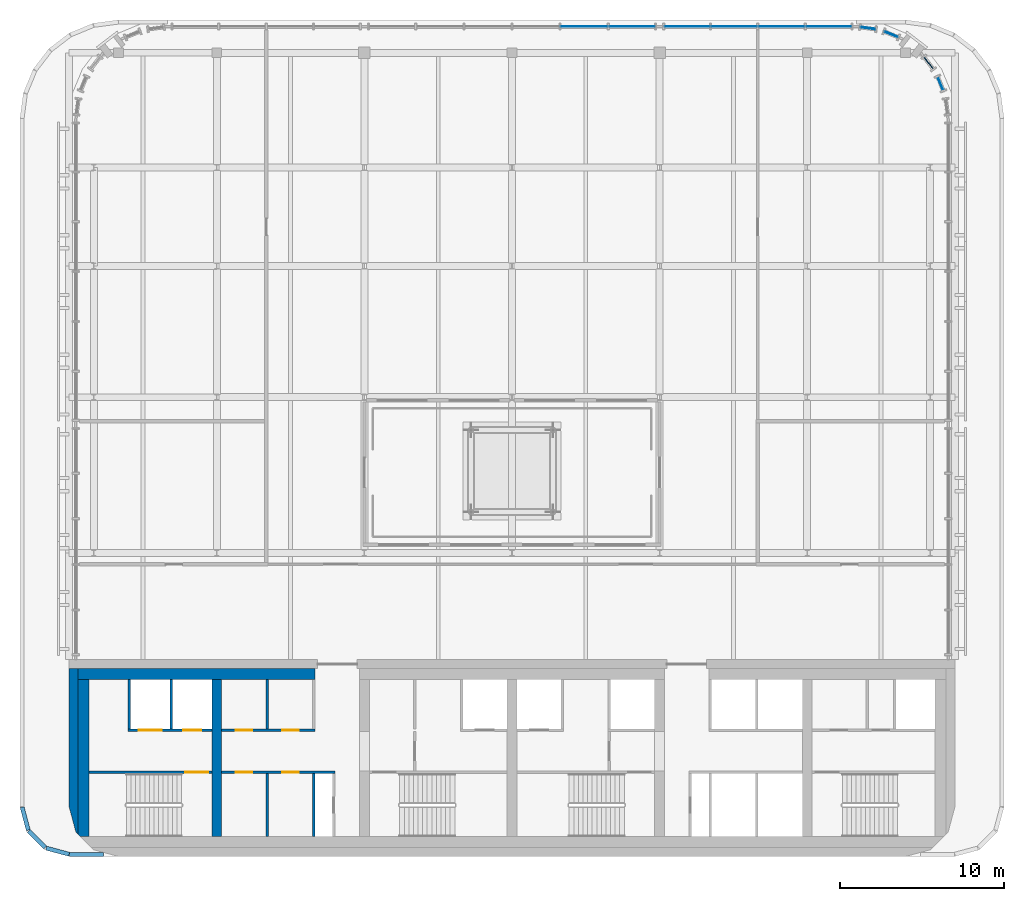
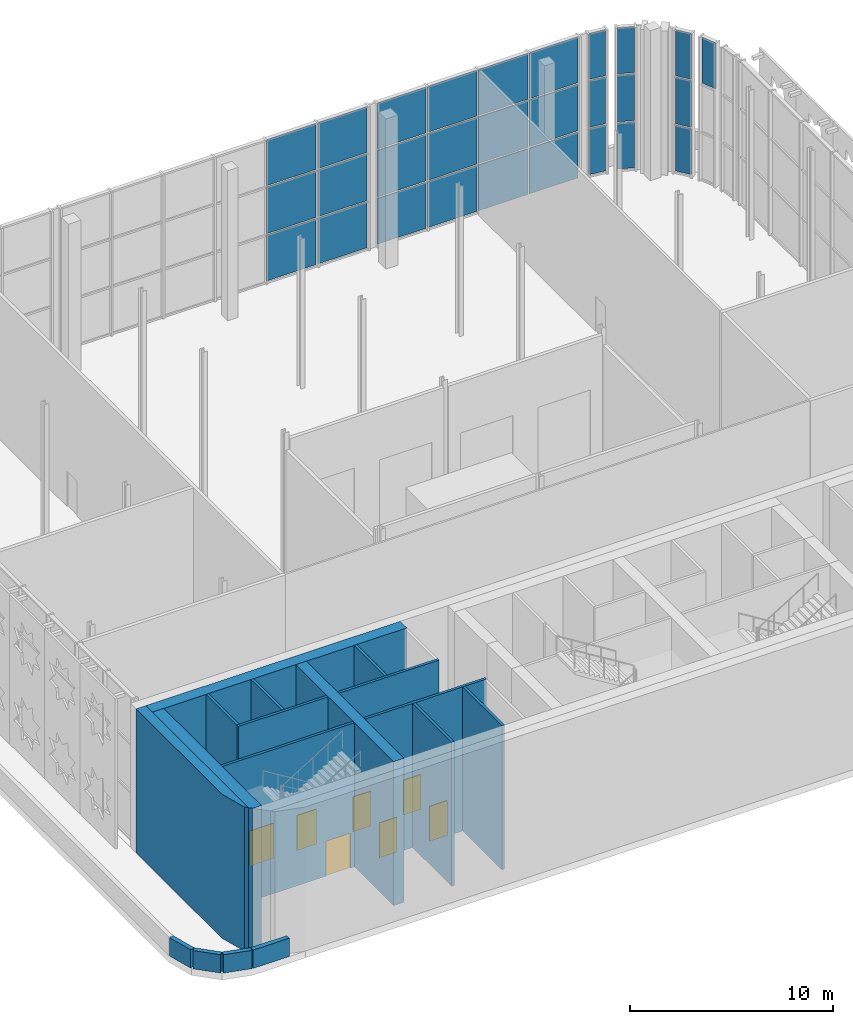
# One storey, part 17 of 26: 28 plates, 17 walls, 7 doors, 7 openings, 6 elements without a shape of their own.
"""IFC4 building model written with IfcOpenShell, lengths in metres."""

from ifc_helpers import new_model, si_unit, direction, frame, frame_2d, origin, origin_2d, place, context, subcontext, project, spatial, polyline, rectangle, outline, extrude, material, layer, layer_set, type_object, element, fill, aggregate, save


model = new_model("IFC4")

# Units and contexts
model_context = context("Model", 3, precision=1e-05, world=origin(), true_north=direction((0.0, 1.0)))
body_context = subcontext(model_context, "Body", "Model", "MODEL_VIEW")
ifc_project = project(units=[si_unit("LENGTHUNIT", "METRE"), si_unit("AREAUNIT", "SQUARE_METRE"), si_unit("VOLUMEUNIT", "CUBIC_METRE"), si_unit("PLANEANGLEUNIT", "RADIAN"), si_unit("MASSUNIT", "GRAM", prefix="KILO")], contexts=[model_context])

# Site, building, storey
site_placement = place(None, origin())
site = spatial("IfcSite", under=ifc_project, at=site_placement, CompositionType="ELEMENT")
building_placement = place(site_placement, origin())
building = spatial("IfcBuilding", under=site, at=building_placement, Name="Zellij Exchange Tower", CompositionType="ELEMENT")
storey_placement = place(building_placement, frame((0.0, 0.0, 296.5)))
storey = spatial("IfcBuildingStorey", under=building, at=storey_placement, Name="L70", CompositionType="ELEMENT", Elevation=296.5)

# Curtain wall, plate
ifc_material_1 = material(Name="Bronze anodised aluminium frame, bronze laminated glass", Category="aluminium")
curtain_wall_type = type_object("IfcCurtainWallType", Name="ENV-CW5 Damper-gallery glazing", PredefinedType="NOTDEFINED", material=ifc_material_1)
curtain_wall_1_placement = place(storey_placement, origin())
curtain_wall_1 = element("IfcCurtainWall", 1, at=curtain_wall_1_placement, inside=storey, type_object=curtain_wall_type, Name="cw.L70.06", PredefinedType="NOTDEFINED")
ifc_material_2 = material(Name="Laminated glass, bronze tint", Category="glass")
ifc_layer_1 = layer(ifc_material_2, 0.052001953125)
ifc_layer_set_1 = layer_set([ifc_layer_1], Name="Laminated glass, bronze tint")
plate_type = type_object("IfcPlateType", Name="ENV-CW5P Glazed panel 52", PredefinedType="CURTAIN_PANEL", material=ifc_layer_set_1)
plate_1_placement = place(storey_placement, frame((26.12646484375, 33.123291015625, 5.816650390625), z_axis=(0.0, 0.0, 1.0), x_axis=(-0.382754118186, 0.923850250318, 0.0)))
plate_1 = element("IfcPlate", 2, at=plate_1_placement, type_object=plate_type, Name="CW5 panel 1.3", PredefinedType="CURTAIN_PANEL", context=body_context, shape_type="SweptSolid", body=[
    extrude(rectangle(XDim=0.861083984375, YDim=0.052001953125, at=origin_2d()), origin(), (0.0, 0.0, 1.0), 2.7333984375),
])
aggregate(curtain_wall_1, [plate_1])

# Curtain wall, plates
curtain_wall_2_placement = place(storey_placement, origin())
curtain_wall_2 = element("IfcCurtainWall", 3, at=curtain_wall_2_placement, inside=storey, type_object=curtain_wall_type, Name="cw.L70.07", PredefinedType="NOTDEFINED")
plate_2_placement = place(storey_placement, frame((25.402099609375, 34.377685546875, 0.099853515625), z_axis=(0.0, 0.0, 1.0), x_axis=(-0.6087401576, 0.793369661964, 0.0)))
plate_2 = element("IfcPlate", 4, at=plate_2_placement, type_object=plate_type, Name="CW5 panel 1.1", PredefinedType="CURTAIN_PANEL", context=body_context, shape_type="SweptSolid", body=[
    extrude(rectangle(XDim=0.861083984375, YDim=0.052001953125, at=origin_2d()), origin(), (0.0, 0.0, 1.0), 2.7333984375),
])
plate_3_placement = place(storey_placement, frame((25.402099609375, 34.377685546875, 2.93310546875), z_axis=(0.0, 0.0, 1.0), x_axis=(-0.6087401576, 0.793369661964, 0.0)))
plate_3 = element("IfcPlate", 5, at=plate_3_placement, type_object=plate_type, Name="CW5 panel 1.2", PredefinedType="CURTAIN_PANEL", context=body_context, shape_type="SweptSolid", body=[
    extrude(rectangle(XDim=0.861083984375, YDim=0.052001953125, at=origin_2d()), origin(), (0.0, 0.0, 1.0), 2.783447265625),
])
plate_4_placement = place(storey_placement, frame((25.402099609375, 34.377685546875, 5.816650390625), z_axis=(0.0, 0.0, 1.0), x_axis=(-0.6087401576, 0.793369661964, 0.0)))
plate_4 = element("IfcPlate", 6, at=plate_4_placement, type_object=plate_type, Name="CW5 panel 1.3", PredefinedType="CURTAIN_PANEL", context=body_context, shape_type="SweptSolid", body=[
    extrude(rectangle(XDim=0.861083984375, YDim=0.052001953125, at=origin_2d()), origin(), (0.0, 0.0, 1.0), 2.7333984375),
])
aggregate(curtain_wall_2, [plate_2, plate_3, plate_4])

curtain_wall_3_placement = place(storey_placement, origin())
curtain_wall_3 = element("IfcCurtainWall", 7, at=curtain_wall_3_placement, inside=storey, type_object=curtain_wall_type, Name="cw.L70.09", PredefinedType="NOTDEFINED")
plate_5_placement = place(storey_placement, frame((23.123291015625, 36.12646484375, 0.099853515625), z_axis=(0.0, 0.0, 1.0), x_axis=(-0.923850250318, 0.382754118186, 0.0)))
plate_5 = element("IfcPlate", 8, at=plate_5_placement, type_object=plate_type, Name="CW5 panel 1.1", PredefinedType="CURTAIN_PANEL", context=body_context, shape_type="SweptSolid", body=[
    extrude(rectangle(XDim=0.861083984375, YDim=0.052001953125, at=origin_2d()), origin(), (0.0, 0.0, 1.0), 2.7333984375),
])
plate_6_placement = place(storey_placement, frame((23.123291015625, 36.12646484375, 2.93310546875), z_axis=(0.0, 0.0, 1.0), x_axis=(-0.923850250318, 0.382754118186, 0.0)))
plate_6 = element("IfcPlate", 9, at=plate_6_placement, type_object=plate_type, Name="CW5 panel 1.2", PredefinedType="CURTAIN_PANEL", context=body_context, shape_type="SweptSolid", body=[
    extrude(rectangle(XDim=0.861083984375, YDim=0.052001953125, at=origin_2d()), origin(), (0.0, 0.0, 1.0), 2.783447265625),
])
plate_7_placement = place(storey_placement, frame((23.123291015625, 36.12646484375, 5.816650390625), z_axis=(0.0, 0.0, 1.0), x_axis=(-0.923850250318, 0.382754118186, 0.0)))
plate_7 = element("IfcPlate", 10, at=plate_7_placement, type_object=plate_type, Name="CW5 panel 1.3", PredefinedType="CURTAIN_PANEL", context=body_context, shape_type="SweptSolid", body=[
    extrude(rectangle(XDim=0.861083984375, YDim=0.052001953125, at=origin_2d()), origin(), (0.0, 0.0, 1.0), 2.7333984375),
])
aggregate(curtain_wall_3, [plate_5, plate_6, plate_7])

curtain_wall_4_placement = place(storey_placement, origin())
curtain_wall_4 = element("IfcCurtainWall", 11, at=curtain_wall_4_placement, inside=storey, type_object=curtain_wall_type, Name="cw.L70.10", PredefinedType="NOTDEFINED")
plate_8_placement = place(storey_placement, frame((21.711181640625, 36.5029296875, 0.099853515625), z_axis=(0.0, 0.0, 1.0), x_axis=(-0.991448973532, 0.130494953476, 0.0)))
plate_8 = element("IfcPlate", 12, at=plate_8_placement, type_object=plate_type, Name="CW5 panel 1.1", PredefinedType="CURTAIN_PANEL", context=body_context, shape_type="SweptSolid", body=[
    extrude(rectangle(XDim=0.887451171875, YDim=0.052001953125, at=origin_2d()), origin(), (0.0, 0.0, 1.0), 2.7333984375),
])
plate_9_placement = place(storey_placement, frame((21.711181640625, 36.5029296875, 2.93310546875), z_axis=(0.0, 0.0, 1.0), x_axis=(-0.991448973532, 0.130494953476, 0.0)))
plate_9 = element("IfcPlate", 13, at=plate_9_placement, type_object=plate_type, Name="CW5 panel 1.2", PredefinedType="CURTAIN_PANEL", context=body_context, shape_type="SweptSolid", body=[
    extrude(rectangle(XDim=0.887451171875, YDim=0.052001953125, at=origin_2d()), origin(), (0.0, 0.0, 1.0), 2.783447265625),
])
plate_10_placement = place(storey_placement, frame((21.711181640625, 36.5029296875, 5.816650390625), z_axis=(0.0, 0.0, 1.0), x_axis=(-0.991448973532, 0.130494953476, 0.0)))
plate_10 = element("IfcPlate", 14, at=plate_10_placement, type_object=plate_type, Name="CW5 panel 1.3", PredefinedType="CURTAIN_PANEL", context=body_context, shape_type="SweptSolid", body=[
    extrude(rectangle(XDim=0.887451171875, YDim=0.052001953125, at=origin_2d()), origin(), (0.0, 0.0, 1.0), 2.7333984375),
])
aggregate(curtain_wall_4, [plate_8, plate_9, plate_10])

curtain_wall_5_placement = place(storey_placement, origin())
curtain_wall_5 = element("IfcCurtainWall", 15, at=curtain_wall_5_placement, inside=storey, type_object=curtain_wall_type, Name="cw.L70.11a", PredefinedType="NOTDEFINED")
plate_11_placement = place(storey_placement, frame((19.302001953125, 36.60009765625, 0.099853515625), z_axis=(0.0, 0.0, 1.0), x_axis=(-1.0, 0.0, 0.0)))
plate_11 = element("IfcPlate", 16, at=plate_11_placement, type_object=plate_type, Name="CW5 panel 1.1", PredefinedType="CURTAIN_PANEL", context=body_context, shape_type="SweptSolid", body=[
    extrude(rectangle(XDim=2.743408203125, YDim=0.052001953125, at=origin_2d()), origin(), (0.0, 0.0, 1.0), 2.7333984375),
])
plate_12_placement = place(storey_placement, frame((19.302001953125, 36.60009765625, 2.93310546875), z_axis=(0.0, 0.0, 1.0), x_axis=(-1.0, 0.0, 0.0)))
plate_12 = element("IfcPlate", 17, at=plate_12_placement, type_object=plate_type, Name="CW5 panel 1.2", PredefinedType="CURTAIN_PANEL", context=body_context, shape_type="SweptSolid", body=[
    extrude(rectangle(XDim=2.743408203125, YDim=0.052001953125, at=origin_2d()), origin(), (0.0, 0.0, 1.0), 2.783447265625),
])
plate_13_placement = place(storey_placement, frame((19.302001953125, 36.60009765625, 5.816650390625), z_axis=(0.0, 0.0, 1.0), x_axis=(-1.0, 0.0, 0.0)))
plate_13 = element("IfcPlate", 18, at=plate_13_placement, type_object=plate_type, Name="CW5 panel 1.3", PredefinedType="CURTAIN_PANEL", context=body_context, shape_type="SweptSolid", body=[
    extrude(rectangle(XDim=2.743408203125, YDim=0.052001953125, at=origin_2d()), origin(), (0.0, 0.0, 1.0), 2.7333984375),
])
plate_14_placement = place(storey_placement, frame((16.43359375, 36.60009765625, 0.099853515625), z_axis=(0.0, 0.0, 1.0), x_axis=(-1.0, 0.0, 0.0)))
plate_14 = element("IfcPlate", 19, at=plate_14_placement, type_object=plate_type, Name="CW5 panel 2.1", PredefinedType="CURTAIN_PANEL", context=body_context, shape_type="SweptSolid", body=[
    extrude(rectangle(XDim=2.79345703125, YDim=0.052001953125, at=origin_2d()), origin(), (0.0, 0.0, 1.0), 2.7333984375),
])
plate_15_placement = place(storey_placement, frame((16.43359375, 36.60009765625, 2.93310546875), z_axis=(0.0, 0.0, 1.0), x_axis=(-1.0, 0.0, 0.0)))
plate_15 = element("IfcPlate", 20, at=plate_15_placement, type_object=plate_type, Name="CW5 panel 2.2", PredefinedType="CURTAIN_PANEL", context=body_context, shape_type="SweptSolid", body=[
    extrude(rectangle(XDim=2.79345703125, YDim=0.052001953125, at=origin_2d()), origin(), (0.0, 0.0, 1.0), 2.783447265625),
])
plate_16_placement = place(storey_placement, frame((16.43359375, 36.60009765625, 5.816650390625), z_axis=(0.0, 0.0, 1.0), x_axis=(-1.0, 0.0, 0.0)))
plate_16 = element("IfcPlate", 21, at=plate_16_placement, type_object=plate_type, Name="CW5 panel 2.3", PredefinedType="CURTAIN_PANEL", context=body_context, shape_type="SweptSolid", body=[
    extrude(rectangle(XDim=2.79345703125, YDim=0.052001953125, at=origin_2d()), origin(), (0.0, 0.0, 1.0), 2.7333984375),
])
plate_17_placement = place(storey_placement, frame((13.540283203125, 36.60009765625, 0.099853515625), z_axis=(0.0, 0.0, 1.0), x_axis=(-1.0, 0.0, 0.0)))
plate_17 = element("IfcPlate", 22, at=plate_17_placement, type_object=plate_type, Name="CW5 panel 3.1", PredefinedType="CURTAIN_PANEL", context=body_context, shape_type="SweptSolid", body=[
    extrude(rectangle(XDim=2.79345703125, YDim=0.052001953125, at=origin_2d()), origin(), (0.0, 0.0, 1.0), 2.7333984375),
])
plate_18_placement = place(storey_placement, frame((13.540283203125, 36.60009765625, 2.93310546875), z_axis=(0.0, 0.0, 1.0), x_axis=(-1.0, 0.0, 0.0)))
plate_18 = element("IfcPlate", 23, at=plate_18_placement, type_object=plate_type, Name="CW5 panel 3.2", PredefinedType="CURTAIN_PANEL", context=body_context, shape_type="SweptSolid", body=[
    extrude(rectangle(XDim=2.79345703125, YDim=0.052001953125, at=origin_2d()), origin(), (0.0, 0.0, 1.0), 2.783447265625),
])
plate_19_placement = place(storey_placement, frame((13.540283203125, 36.60009765625, 5.816650390625), z_axis=(0.0, 0.0, 1.0), x_axis=(-1.0, 0.0, 0.0)))
plate_19 = element("IfcPlate", 24, at=plate_19_placement, type_object=plate_type, Name="CW5 panel 3.3", PredefinedType="CURTAIN_PANEL", context=body_context, shape_type="SweptSolid", body=[
    extrude(rectangle(XDim=2.79345703125, YDim=0.052001953125, at=origin_2d()), origin(), (0.0, 0.0, 1.0), 2.7333984375),
])
plate_20_placement = place(storey_placement, frame((10.671630859375, 36.60009765625, 0.099853515625), z_axis=(0.0, 0.0, 1.0), x_axis=(-1.0, 0.0, 0.0)))
plate_20 = element("IfcPlate", 25, at=plate_20_placement, type_object=plate_type, Name="CW5 panel 4.1", PredefinedType="CURTAIN_PANEL", context=body_context, shape_type="SweptSolid", body=[
    extrude(rectangle(XDim=2.743408203125, YDim=0.052001953125, at=origin_2d()), origin(), (0.0, 0.0, 1.0), 2.7333984375),
])
plate_21_placement = place(storey_placement, frame((10.671630859375, 36.60009765625, 2.93310546875), z_axis=(0.0, 0.0, 1.0), x_axis=(-1.0, 0.0, 0.0)))
plate_21 = element("IfcPlate", 26, at=plate_21_placement, type_object=plate_type, Name="CW5 panel 4.2", PredefinedType="CURTAIN_PANEL", context=body_context, shape_type="SweptSolid", body=[
    extrude(rectangle(XDim=2.743408203125, YDim=0.052001953125, at=origin_2d()), origin(), (0.0, 0.0, 1.0), 2.783447265625),
])
plate_22_placement = place(storey_placement, frame((10.671630859375, 36.60009765625, 5.816650390625), z_axis=(0.0, 0.0, 1.0), x_axis=(-1.0, 0.0, 0.0)))
plate_22 = element("IfcPlate", 27, at=plate_22_placement, type_object=plate_type, Name="CW5 panel 4.3", PredefinedType="CURTAIN_PANEL", context=body_context, shape_type="SweptSolid", body=[
    extrude(rectangle(XDim=2.743408203125, YDim=0.052001953125, at=origin_2d()), origin(), (0.0, 0.0, 1.0), 2.7333984375),
])
aggregate(curtain_wall_5, [plate_11, plate_12, plate_13, plate_14, plate_15, plate_16, plate_17, plate_18, plate_19, plate_20, plate_21, plate_22])

curtain_wall_6_placement = place(storey_placement, origin())
curtain_wall_6 = element("IfcCurtainWall", 28, at=curtain_wall_6_placement, inside=storey, type_object=curtain_wall_type, Name="cw.L70.11b", PredefinedType="NOTDEFINED")
plate_23_placement = place(storey_placement, frame((7.308349609375, 36.60009765625, 0.099853515625), z_axis=(0.0, 0.0, 1.0), x_axis=(-1.0, 0.0, 0.0)))
plate_23 = element("IfcPlate", 29, at=plate_23_placement, type_object=plate_type, Name="CW5 panel 1.1", PredefinedType="CURTAIN_PANEL", context=body_context, shape_type="SweptSolid", body=[
    extrude(rectangle(XDim=2.783447265625, YDim=0.052001953125, at=origin_2d()), origin(), (0.0, 0.0, 1.0), 2.7333984375),
])
plate_24_placement = place(storey_placement, frame((7.308349609375, 36.60009765625, 2.93310546875), z_axis=(0.0, 0.0, 1.0), x_axis=(-1.0, 0.0, 0.0)))
plate_24 = element("IfcPlate", 30, at=plate_24_placement, type_object=plate_type, Name="CW5 panel 1.2", PredefinedType="CURTAIN_PANEL", context=body_context, shape_type="SweptSolid", body=[
    extrude(rectangle(XDim=2.783447265625, YDim=0.052001953125, at=origin_2d()), origin(), (0.0, 0.0, 1.0), 2.783447265625),
])
plate_25_placement = place(storey_placement, frame((7.308349609375, 36.60009765625, 5.816650390625), z_axis=(0.0, 0.0, 1.0), x_axis=(-1.0, 0.0, 0.0)))
plate_25 = element("IfcPlate", 31, at=plate_25_placement, type_object=plate_type, Name="CW5 panel 1.3", PredefinedType="CURTAIN_PANEL", context=body_context, shape_type="SweptSolid", body=[
    extrude(rectangle(XDim=2.783447265625, YDim=0.052001953125, at=origin_2d()), origin(), (0.0, 0.0, 1.0), 2.7333984375),
])
plate_26_placement = place(storey_placement, frame((4.39990234375, 36.60009765625, 0.099853515625), z_axis=(0.0, 0.0, 1.0), x_axis=(-1.0, 0.0, 0.0)))
plate_26 = element("IfcPlate", 32, at=plate_26_placement, type_object=plate_type, Name="CW5 panel 2.1", PredefinedType="CURTAIN_PANEL", context=body_context, shape_type="SweptSolid", body=[
    extrude(rectangle(XDim=2.833251953125, YDim=0.052001953125, at=origin_2d()), origin(), (0.0, 0.0, 1.0), 2.7333984375),
])
plate_27_placement = place(storey_placement, frame((4.39990234375, 36.60009765625, 2.93310546875), z_axis=(0.0, 0.0, 1.0), x_axis=(-1.0, 0.0, 0.0)))
plate_27 = element("IfcPlate", 33, at=plate_27_placement, type_object=plate_type, Name="CW5 panel 2.2", PredefinedType="CURTAIN_PANEL", context=body_context, shape_type="SweptSolid", body=[
    extrude(rectangle(XDim=2.833251953125, YDim=0.052001953125, at=origin_2d()), origin(), (0.0, 0.0, 1.0), 2.783447265625),
])
plate_28_placement = place(storey_placement, frame((4.39990234375, 36.60009765625, 5.816650390625), z_axis=(0.0, 0.0, 1.0), x_axis=(-1.0, 0.0, 0.0)))
plate_28 = element("IfcPlate", 34, at=plate_28_placement, type_object=plate_type, Name="CW5 panel 2.3", PredefinedType="CURTAIN_PANEL", context=body_context, shape_type="SweptSolid", body=[
    extrude(rectangle(XDim=2.833251953125, YDim=0.052001953125, at=origin_2d()), origin(), (0.0, 0.0, 1.0), 2.7333984375),
])
aggregate(curtain_wall_6, [plate_23, plate_24, plate_25, plate_26, plate_27, plate_28])

# Walls
ifc_material_3 = material(Name="Concrete C50/60", Category="concrete")
ifc_layer_2 = layer(ifc_material_3, 0.60009765625)
ifc_layer_set_2 = layer_set([ifc_layer_2], Name="Concrete C50/60")
wall_type_1 = type_object("IfcWallType", Name="CORE-CW 600 C50/60", PredefinedType="SHEAR", material=ifc_layer_set_2)
wall_1_placement = place(storey_placement, frame((-18.0, -12.800048828125, 0.0), z_axis=(0.0, 0.0, 1.0), x_axis=(0.0, 1.0, 0.0)))
element("IfcWall", 35, at=wall_1_placement, inside=storey, type_object=wall_type_1, Name="Core cross wall x -18 L70", PredefinedType="SHEAR", context=body_context, shape_type="SweptSolid", body=[
    extrude(rectangle(XDim=9.60009765625, YDim=0.60009765625, at=frame_2d((4.800048828125, 0.0))), origin(), (0.0, 0.0, 1.0), 8.64990234375),
])
ifc_material_4 = material(Name="Concrete C30/37", Category="concrete")
ifc_layer_3 = layer(ifc_material_4, 0.64990234375)
ifc_layer_set_3 = layer_set([ifc_layer_3], Name="Concrete C30/37")
wall_type_2 = type_object("IfcWallType", Name="CORE-LW 650 C30/37", PredefinedType="SHEAR", material=ifc_layer_set_3)
wall_2_placement = place(storey_placement, frame((-26.449951171875, -2.875, 0.0), z_axis=(0.0, 0.0, 1.0), x_axis=(1.0, 0.0, 0.0)))
element("IfcWall", 36, at=wall_2_placement, inside=storey, type_object=wall_type_2, Name="Core wall lining front.0 L70", PredefinedType="SHEAR", context=body_context, shape_type="SweptSolid", body=[
    extrude(rectangle(XDim=14.449951171875, YDim=0.64990234375, at=frame_2d((7.22509765625, 0.0))), origin(), (0.0, 0.0, 1.0), 8.64990234375),
])
wall_3_placement = place(storey_placement, origin())
element("IfcWall", 37, at=wall_3_placement, inside=storey, type_object=wall_type_2, Name="Core wall lining end w.0 L70", PredefinedType="SHEAR", context=body_context, shape_type="SweptSolid", body=[
    extrude(outline(polyline([(-26.449951171875, -3.199951171875), (-25.800048828125, -3.199951171875), (-25.800048828125, -12.800048828125), (-26.298095703125, -12.800048828125), (-26.449951171875, -12.648193359375), (-26.449951171875, -3.199951171875)])), origin(), (0.0, 0.0, 1.0), 8.64990234375),
])
ifc_material_5 = material(Name="Gypsum shaft wall system")
ifc_layer_4 = layer(ifc_material_5, 0.14990234375)
ifc_layer_set_4 = layer_set([ifc_layer_4], Name="Gypsum shaft wall system")
wall_type_3 = type_object("IfcWallType", Name="CORE-PW 150 Lift shaft wall", PredefinedType="PARTITIONING", material=ifc_layer_set_4)
for number, where, z_axis, x_axis, name in (
    (38, (-20.77490234375, -6.22509765625, 0.0), (0.0, 0.0, 1.0), (0.0, 1.0, 0.0), "Lift shaft wall L70"),
    (39, (-23.324951171875, -6.22509765625, 0.0), (0.0, 0.0, 1.0), (0.0, 1.0, 0.0), "Lift shaft wall L70"),
):
    element("IfcWall", number, at=place(storey_placement, frame(where, z_axis=z_axis, x_axis=x_axis)), inside=storey, type_object=wall_type_3, Name=name, PredefinedType="PARTITIONING", context=body_context, shape_type="SweptSolid", body=[
        extrude(rectangle(XDim=3.025146484375, YDim=0.14990234375, at=frame_2d((1.5126953125, 0.0))), origin(), (0.0, 0.0, 1.0), 8.64990234375),
    ])

# Wall, openings, doors
wall_4_placement = place(storey_placement, frame((-23.39990234375, -6.300048828125, 0.0), z_axis=(0.0, 0.0, 1.0), x_axis=(1.0, 0.0, 0.0)))
wall_4 = element("IfcWall", 40, at=wall_4_placement, inside=storey, type_object=wall_type_3, Name="Lift shaft wall L70", PredefinedType="PARTITIONING", context=body_context, shape_type="SweptSolid", body=[
    extrude(rectangle(XDim=5.099853515625, YDim=0.14990234375, at=frame_2d((2.5498046875, 0.0))), origin(), (0.0, 0.0, 1.0), 8.64990234375),
])
opening_1_placement = place(wall_4_placement, frame((0.64990234375, 0.0, 0.0)))
opening_1 = element("IfcOpeningElement", 41, at=opening_1_placement, cuts=wall_4, Name="Opening CA-37.01", PredefinedType="OPENING", context=body_context, shape_type="SweptSolid", body=[
    extrude(rectangle(XDim=1.39990234375, YDim=2.10009765625, at=frame_2d((0.699951171875, 1.050048828125))), frame((0.0, 0.0869140625, 0.0), z_axis=(0.0, -1.0, 0.0), x_axis=(1.0, 0.0, 0.0)), (0.0, 0.0, 1.0), 0.173828125),
])
opening_2_placement = place(wall_4_placement, frame((3.35009765625, 0.0, 0.0)))
opening_2 = element("IfcOpeningElement", 42, at=opening_2_placement, cuts=wall_4, Name="Opening CA-37.02", PredefinedType="OPENING", context=body_context, shape_type="SweptSolid", body=[
    extrude(rectangle(XDim=1.10009765625, YDim=2.10009765625, at=frame_2d((0.550048828125, 1.050048828125))), frame((0.0, 0.0869140625, 0.0), z_axis=(0.0, -1.0, 0.0), x_axis=(1.0, 0.0, 0.0)), (0.0, 0.0, 1.0), 0.173828125),
])
ifc_material_6 = material(Name="Hollow metal fire door")
door_type_1 = type_object("IfcDoorType", Name="CORE-D LD Lift landing door 1100x2100 1.5 HR", OperationType="NOTDEFINED", PredefinedType="DOOR", material=ifc_material_6)
door_1_placement = place(opening_2_placement, origin())
door_1 = element("IfcDoor", 43, at=door_1_placement, inside=storey, type_object=door_type_1, Name="Lift landing door CA-37.02", OperationType="SLIDING_TO_RIGHT", OverallHeight=2.10009765625, OverallWidth=1.10009765625, PredefinedType="DOOR", context=body_context, shape_type="SweptSolid", body=[
    extrude(rectangle(XDim=1.10009765625, YDim=2.10009765625, at=frame_2d((0.550048828125, 1.050048828125))), frame((0.0, 0.02490234375, 0.0), z_axis=(0.0, -1.0, 0.0), x_axis=(1.0, 0.0, 0.0)), (0.0, 0.0, 1.0), 0.050048828125),
])
fill(opening_2, door_1)
door_type_2 = type_object("IfcDoorType", Name="CORE-D LD2 Service lift landing door 1400x2100 1.5 HR", OperationType="NOTDEFINED", PredefinedType="DOOR", material=ifc_material_6)
door_2_placement = place(opening_1_placement, origin())
door_2 = element("IfcDoor", 44, at=door_2_placement, inside=storey, type_object=door_type_2, Name="Service lift landing door CA-37.01", OperationType="SLIDING_TO_LEFT", OverallHeight=2.10009765625, OverallWidth=1.39990234375, PredefinedType="DOOR", context=body_context, shape_type="SweptSolid", body=[
    extrude(rectangle(XDim=1.39990234375, YDim=2.10009765625, at=frame_2d((0.699951171875, 1.050048828125))), frame((0.0, 0.02490234375, 0.0), z_axis=(0.0, -1.0, 0.0), x_axis=(1.0, 0.0, 0.0)), (0.0, 0.0, 1.0), 0.050048828125),
])
fill(opening_1, door_2)

# Walls
ifc_layer_5 = layer(ifc_material_5, 0.14990234375)
ifc_layer_set_5 = layer_set([ifc_layer_5], Name="Gypsum shaft wall system")
wall_type_4 = type_object("IfcWallType", Name="CORE-PW 150 Plant room wall", PredefinedType="PARTITIONING", material=ifc_layer_set_5)
wall_5_placement = place(storey_placement, frame((-14.925048828125, -6.22509765625, 0.0), z_axis=(0.0, 0.0, 1.0), x_axis=(0.0, 1.0, 0.0)))
element("IfcWall", 45, at=wall_5_placement, inside=storey, type_object=wall_type_4, Name="Plant room wall L70", PredefinedType="PARTITIONING", context=body_context, shape_type="SweptSolid", body=[
    extrude(rectangle(XDim=3.025146484375, YDim=0.14990234375, at=frame_2d((1.5126953125, 0.0))), origin(), (0.0, 0.0, 1.0), 8.64990234375),
])
for number, where, z_axis, x_axis, name in (
    (46, (-12.074951171875, -12.800048828125, 0.0), (0.0, 0.0, 1.0), (0.0, 1.0, 0.0), "Plant room wall L70"),
    (47, (-14.925048828125, -12.800048828125, 0.0), (0.0, 0.0, 1.0), (0.0, 1.0, 0.0), "Plant room wall L70"),
):
    element("IfcWall", number, at=place(storey_placement, frame(where, z_axis=z_axis, x_axis=x_axis)), inside=storey, type_object=wall_type_4, Name=name, PredefinedType="PARTITIONING", context=body_context, shape_type="SweptSolid", body=[
        extrude(rectangle(XDim=3.85009765625, YDim=0.14990234375, at=frame_2d((1.925048828125, 0.0))), origin(), (0.0, 0.0, 1.0), 8.64990234375),
    ])

# Wall, openings, doors
wall_6_placement = place(storey_placement, frame((-17.699951171875, -6.300048828125, 0.0), z_axis=(0.0, 0.0, 1.0), x_axis=(1.0, 0.0, 0.0)))
wall_6 = element("IfcWall", 48, at=wall_6_placement, inside=storey, type_object=wall_type_4, Name="Plant room wall L70", PredefinedType="PARTITIONING", context=body_context, shape_type="SweptSolid", body=[
    extrude(rectangle(XDim=5.699951171875, YDim=0.14990234375, at=frame_2d((2.85009765625, 0.0))), origin(), (0.0, 0.0, 1.0), 8.64990234375),
])
opening_3_placement = place(wall_6_placement, frame((0.85009765625, 0.0, 0.0)))
opening_3 = element("IfcOpeningElement", 49, at=opening_3_placement, cuts=wall_6, Name="Opening CA-37.05", PredefinedType="OPENING", context=body_context, shape_type="SweptSolid", body=[
    extrude(rectangle(XDim=1.0, YDim=2.10009765625, at=frame_2d((0.5, 1.050048828125))), frame((0.0, 0.0869140625, 0.0), z_axis=(0.0, -1.0, 0.0), x_axis=(1.0, 0.0, 0.0)), (0.0, 0.0, 1.0), 0.173828125),
])
opening_4_placement = place(wall_6_placement, frame((3.699951171875, 0.0, 0.0)))
opening_4 = element("IfcOpeningElement", 50, at=opening_4_placement, cuts=wall_6, Name="Opening CA-37.07", PredefinedType="OPENING", context=body_context, shape_type="SweptSolid", body=[
    extrude(rectangle(XDim=1.0, YDim=2.10009765625, at=frame_2d((0.5, 1.050048828125))), frame((0.0, 0.0869140625, 0.0), z_axis=(0.0, -1.0, 0.0), x_axis=(1.0, 0.0, 0.0)), (0.0, 0.0, 1.0), 0.173828125),
])
door_type_3 = type_object("IfcDoorType", Name="CORE-D CDA Core room door 1000x2100 1.5 HR", OperationType="NOTDEFINED", PredefinedType="DOOR", material=ifc_material_6)
door_3_placement = place(opening_3_placement, origin())
door_3 = element("IfcDoor", 51, at=door_3_placement, inside=storey, type_object=door_type_3, Name="Core room door CA-37.05", OperationType="SINGLE_SWING_LEFT", OverallHeight=2.10009765625, OverallWidth=1.0, PredefinedType="DOOR", context=body_context, shape_type="SweptSolid", body=[
    extrude(rectangle(XDim=1.0, YDim=2.10009765625, at=frame_2d((0.5, 1.050048828125))), frame((0.0, 0.02490234375, 0.0), z_axis=(0.0, -1.0, 0.0), x_axis=(1.0, 0.0, 0.0)), (0.0, 0.0, 1.0), 0.050048828125),
])
fill(opening_3, door_3)
door_4_placement = place(opening_4_placement, origin())
door_4 = element("IfcDoor", 52, at=door_4_placement, inside=storey, type_object=door_type_3, Name="Core room door CA-37.07", OperationType="SINGLE_SWING_RIGHT", OverallHeight=2.10009765625, OverallWidth=1.0, PredefinedType="DOOR", context=body_context, shape_type="SweptSolid", body=[
    extrude(rectangle(XDim=1.0, YDim=2.10009765625, at=frame_2d((0.5, 1.050048828125))), frame((0.0, 0.02490234375, 0.0), z_axis=(0.0, -1.0, 0.0), x_axis=(1.0, 0.0, 0.0)), (0.0, 0.0, 1.0), 0.050048828125),
])
fill(opening_4, door_4)

wall_7_placement = place(storey_placement, frame((-17.699951171875, -8.875, 0.0), z_axis=(0.0, 0.0, 1.0), x_axis=(1.0, 0.0, 0.0)))
wall_7 = element("IfcWall", 53, at=wall_7_placement, inside=storey, type_object=wall_type_4, Name="Plant room wall L70", PredefinedType="PARTITIONING", context=body_context, shape_type="SweptSolid", body=[
    extrude(rectangle(XDim=6.89990234375, YDim=0.14990234375, at=frame_2d((3.449951171875, 0.0))), origin(), (0.0, 0.0, 1.0), 8.64990234375),
])
opening_5_placement = place(wall_7_placement, frame((0.85009765625, 0.0, 0.0)))
opening_5 = element("IfcOpeningElement", 54, at=opening_5_placement, cuts=wall_7, Name="Opening CA-37.04", PredefinedType="OPENING", context=body_context, shape_type="SweptSolid", body=[
    extrude(rectangle(XDim=1.0, YDim=2.10009765625, at=frame_2d((0.5, 1.050048828125))), frame((0.0, 0.0869140625, 0.0), z_axis=(0.0, -1.0, 0.0), x_axis=(1.0, 0.0, 0.0)), (0.0, 0.0, 1.0), 0.173828125),
])
opening_6_placement = place(wall_7_placement, frame((3.699951171875, 0.0, 0.0)))
opening_6 = element("IfcOpeningElement", 55, at=opening_6_placement, cuts=wall_7, Name="Opening CA-37.06", PredefinedType="OPENING", context=body_context, shape_type="SweptSolid", body=[
    extrude(rectangle(XDim=1.0, YDim=2.10009765625, at=frame_2d((0.5, 1.050048828125))), frame((0.0, 0.0869140625, 0.0), z_axis=(0.0, -1.0, 0.0), x_axis=(1.0, 0.0, 0.0)), (0.0, 0.0, 1.0), 0.173828125),
])
door_5_placement = place(opening_5_placement, origin())
door_5 = element("IfcDoor", 56, at=door_5_placement, inside=storey, type_object=door_type_3, Name="Core room door CA-37.04", OperationType="SINGLE_SWING_RIGHT", OverallHeight=2.10009765625, OverallWidth=1.0, PredefinedType="DOOR", context=body_context, shape_type="SweptSolid", body=[
    extrude(rectangle(XDim=1.0, YDim=2.10009765625, at=frame_2d((0.5, 1.050048828125))), frame((0.0, 0.02490234375, 0.0), z_axis=(0.0, -1.0, 0.0), x_axis=(1.0, 0.0, 0.0)), (0.0, 0.0, 1.0), 0.050048828125),
])
fill(opening_5, door_5)
door_6_placement = place(opening_6_placement, origin())
door_6 = element("IfcDoor", 57, at=door_6_placement, inside=storey, type_object=door_type_3, Name="Core room door CA-37.06", OperationType="SINGLE_SWING_LEFT", OverallHeight=2.10009765625, OverallWidth=1.0, PredefinedType="DOOR", context=body_context, shape_type="SweptSolid", body=[
    extrude(rectangle(XDim=1.0, YDim=2.10009765625, at=frame_2d((0.5, 1.050048828125))), frame((0.0, 0.02490234375, 0.0), z_axis=(0.0, -1.0, 0.0), x_axis=(1.0, 0.0, 0.0)), (0.0, 0.0, 1.0), 0.050048828125),
])
fill(opening_6, door_6)

# Wall
ifc_layer_6 = layer(ifc_material_3, 0.550048828125)
ifc_layer_set_6 = layer_set([ifc_layer_6], Name="Concrete C50/60")
wall_type_5 = type_object("IfcWallType", Name="CORE-SW 550 C50/60", PredefinedType="SHEAR", material=ifc_layer_set_6)
wall_8_placement = place(storey_placement, origin())
element("IfcWall", 58, at=wall_8_placement, inside=storey, type_object=wall_type_5, Name="Core shear wall end w L70", PredefinedType="SHEAR", context=body_context, shape_type="SweptSolid", body=[
    extrude(outline(polyline([(-26.449951171875, -2.550048828125), (-26.449951171875, -12.648193359375), (-26.59814453125, -12.5), (-27.0, -11.0), (-27.0, -2.550048828125), (-26.449951171875, -2.550048828125)])), origin(), (0.0, 0.0, 1.0), 8.64990234375),
])

# Wall, opening, door
ifc_layer_7 = layer(ifc_material_3, 0.14990234375)
ifc_layer_set_7 = layer_set([ifc_layer_7], Name="Concrete C50/60")
wall_type_6 = type_object("IfcWallType", Name="CORE-SWS 150 C50/60", PredefinedType="SHEAR", material=ifc_layer_set_7)
wall_9_placement = place(storey_placement, frame((-25.800048828125, -8.875, 0.0), z_axis=(0.0, 0.0, 1.0), x_axis=(1.0, 0.0, 0.0)))
wall_9 = element("IfcWall", 59, at=wall_9_placement, inside=storey, type_object=wall_type_6, Name="Stair enclosure wall L70", PredefinedType="SHEAR", context=body_context, shape_type="SweptSolid", body=[
    extrude(rectangle(XDim=7.5, YDim=0.14990234375, at=frame_2d((3.75, 0.0))), origin(), (0.0, 0.0, 1.0), 8.64990234375),
])
opening_7_placement = place(wall_9_placement, frame((5.875, 0.0, 0.0)))
opening_7 = element("IfcOpeningElement", 60, at=opening_7_placement, cuts=wall_9, Name="Opening CA-37.03", PredefinedType="OPENING", context=body_context, shape_type="SweptSolid", body=[
    extrude(rectangle(XDim=1.39990234375, YDim=2.10009765625, at=frame_2d((0.699951171875, 1.050048828125))), frame((0.0, 0.0869140625, 0.0), z_axis=(0.0, -1.0, 0.0), x_axis=(1.0, 0.0, 0.0)), (0.0, 0.0, 1.0), 0.173828125),
])
door_type_4 = type_object("IfcDoorType", Name="CORE-D SD Stair door 1400x2100 1.5 HR", OperationType="NOTDEFINED", PredefinedType="DOOR", material=ifc_material_6)
door_7_placement = place(opening_7_placement, origin())
door_7 = element("IfcDoor", 61, at=door_7_placement, inside=storey, type_object=door_type_4, Name="Stair door CA-37.03", OperationType="DOUBLE_DOOR_SINGLE_SWING", OverallHeight=2.10009765625, OverallWidth=1.39990234375, PredefinedType="DOOR", context=body_context, shape_type="SweptSolid", body=[
    extrude(rectangle(XDim=1.39990234375, YDim=2.10009765625, at=frame_2d((0.699951171875, 1.050048828125))), frame((0.0, 0.02490234375, 0.0), z_axis=(0.0, -1.0, 0.0), x_axis=(1.0, 0.0, 0.0)), (0.0, 0.0, 1.0), 0.050048828125),
])
fill(opening_7, door_7)

# Walls
ifc_material_7 = material(Name="Precast concrete C40/50", Category="concrete")
ifc_layer_8 = layer(ifc_material_7, 0.25)
ifc_layer_set_8 = layer_set([ifc_layer_8], Name="Precast concrete C40/50")
wall_type_7 = type_object("IfcWallType", Name="ENV-PR1 Parapet 250", PredefinedType="PARAPET", material=ifc_layer_set_8)
wall_10_placement = place(storey_placement, frame((-29.87060546875, -10.99951171875, 0.0), z_axis=(0.0, 0.0, 1.0), x_axis=(0.258792083725, -0.965933050165, 0.0)))
element("IfcWall", 62, at=wall_10_placement, inside=storey, type_object=wall_type_7, Name="fac.par.L70.01.01.09", PredefinedType="PARAPET", context=body_context, shape_type="SweptSolid", body=[
    extrude(rectangle(XDim=1.452880859375, YDim=0.25, at=frame_2d((0.7265625, 0.0))), origin(), (0.0, 0.0, 1.0), 1.10009765625),
])
wall_11_placement = place(storey_placement, frame((-29.46240234375, -12.458984375, 0.0), z_axis=(0.0, 0.0, 1.0), x_axis=(0.707106781187, -0.707106781187, 0.0)))
element("IfcWall", 63, at=wall_11_placement, inside=storey, type_object=wall_type_7, Name="fac.par.L70.01.01.10", PredefinedType="PARAPET", context=body_context, shape_type="SweptSolid", body=[
    extrude(rectangle(XDim=1.4189453125, YDim=0.25, at=frame_2d((0.70947265625, 0.0))), origin(), (0.0, 0.0, 1.0), 1.10009765625),
])
wall_12_placement = place(storey_placement, frame((-28.40283203125, -13.49462890625, 0.0), z_axis=(0.0, 0.0, 1.0), x_axis=(0.965933050165, -0.258792083725, 0.0)))
element("IfcWall", 64, at=wall_12_placement, inside=storey, type_object=wall_type_7, Name="fac.par.L70.01.01.11", PredefinedType="PARAPET", context=body_context, shape_type="SweptSolid", body=[
    extrude(rectangle(XDim=1.452880859375, YDim=0.25, at=frame_2d((0.7265625, 0.0))), origin(), (0.0, 0.0, 1.0), 1.10009765625),
])
wall_13_placement = place(storey_placement, frame((-26.967041015625, -13.875, 0.0), z_axis=(0.0, 0.0, 1.0), x_axis=(1.0, 0.0, 0.0)))
element("IfcWall", 65, at=wall_13_placement, inside=storey, type_object=wall_type_7, Name="fac.par.L70.01.01.12", PredefinedType="PARAPET", context=body_context, shape_type="SweptSolid", body=[
    extrude(rectangle(XDim=2.056640625, YDim=0.25, at=frame_2d((1.0283203125, 0.0))), origin(), (0.0, 0.0, 1.0), 1.10009765625),
])

save(model, "model.ifc")
